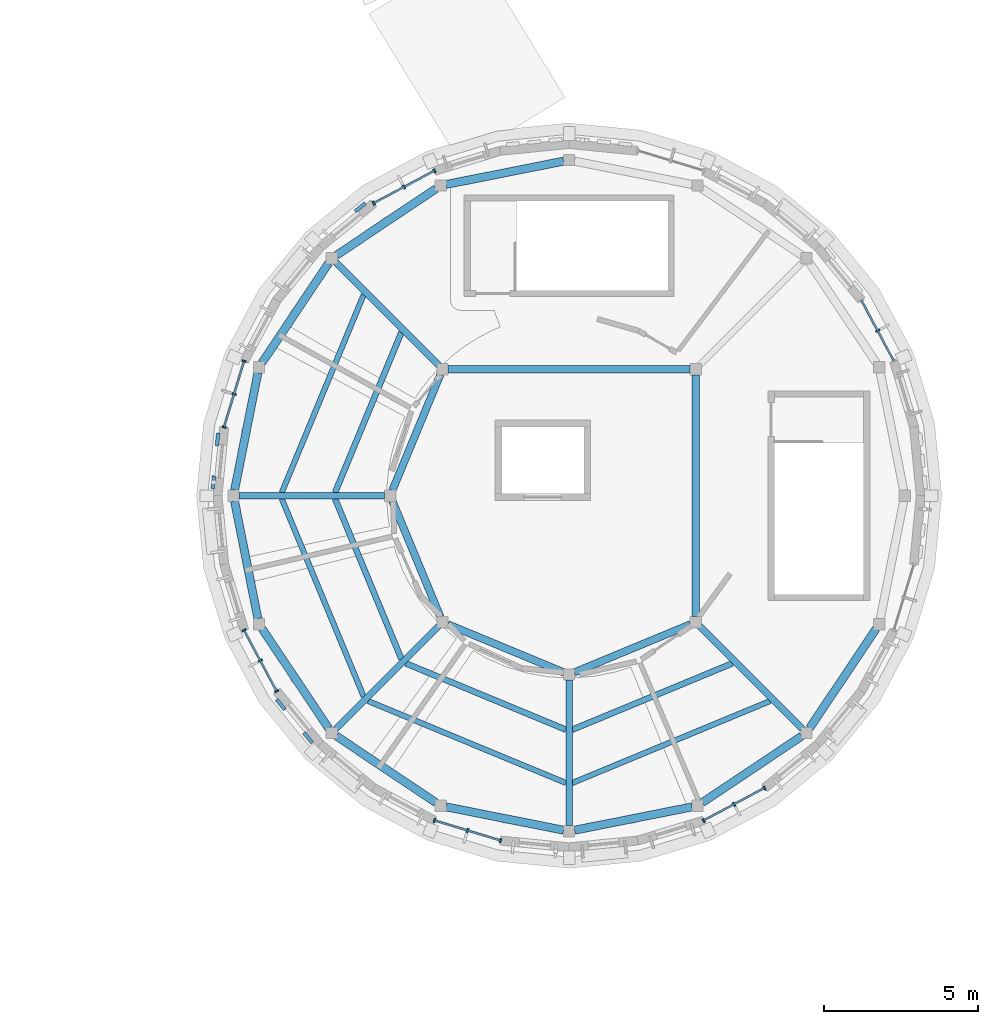
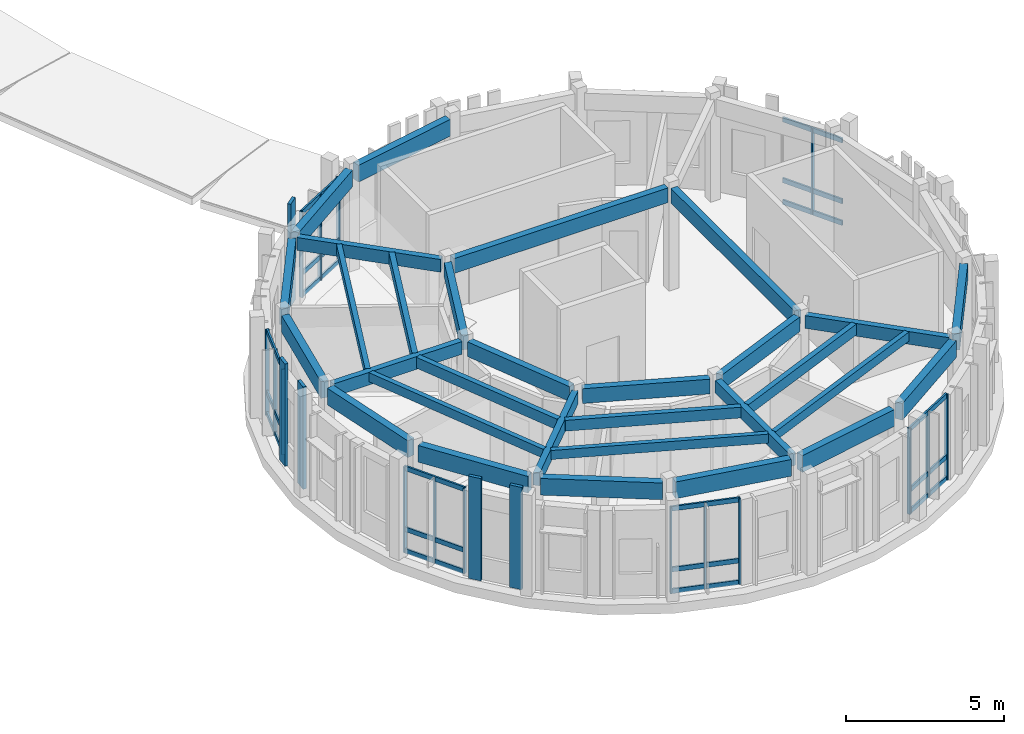
# One storey, part 16 of 58: 39 members, 30 beams, 6 elements without a shape of their own.
"""IFC4 building model written with IfcOpenShell, lengths in metres."""

from ifc_helpers import new_model, si_unit, direction, frame, origin, origin_2d, place, context, subcontext, project, spatial, rectangle, extrude, material, layer, layer_set, material_profile, profile_set, type_object, element, aggregate, save


model = new_model("IFC4")

# Units and contexts
model_context = context("Model", 3, precision=1e-05, world=origin(), true_north=direction((0.0, 1.0)))
body_context = subcontext(model_context, "Body", "Model", "MODEL_VIEW")
ifc_project = project(units=[si_unit("LENGTHUNIT", "METRE"), si_unit("AREAUNIT", "SQUARE_METRE"), si_unit("VOLUMEUNIT", "CUBIC_METRE"), si_unit("PLANEANGLEUNIT", "RADIAN"), si_unit("MASSUNIT", "GRAM", prefix="KILO")], contexts=[model_context])

# Site, building, storey
site_placement = place(None, origin())
site = spatial("IfcSite", under=ifc_project, at=site_placement, CompositionType="ELEMENT")
building_placement = place(site_placement, origin())
building = spatial("IfcBuilding", under=site, at=building_placement, Name="Aldenvaro Health Centre", CompositionType="ELEMENT")
storey_placement = place(building_placement, frame((0.0, 0.0, 8.75)))
storey = spatial("IfcBuildingStorey", under=building, at=storey_placement, Name="L02", CompositionType="ELEMENT", Elevation=8.75)

# Beams
ifc_material_1 = material(Name="Glulam GL28h", Category="wood")
ifc_material_profile_1 = material_profile(ifc_material_1, rectangle(XDim=0.175048828125, YDim=0.35009765625, at=origin_2d()), Name="GL 175x350", Category="wood")
ifc_profile_set_1 = profile_set([ifc_material_profile_1], Name="Glulam GL28h")
beam_type_1 = type_object("IfcBeamType", Name="BM-GL-350", PredefinedType="JOIST", material=ifc_profile_set_1)
for number, where, z_axis, x_axis, name in (
    (1, (147.843017578125, 25.01611328125, 3.784912109375), (-0.382677753705, -0.923881884669, 0.0), (0.923881884669, -0.382677753705, 0.0), "D6 L02 secondary joist 02.2"),
    (2, (145.18505859375, 18.40087890625, 3.784912109375), (0.382677753705, -0.923881884669, 0.0), (0.923881884669, 0.382677753705, 0.0), "D6 L02 secondary joist 03.2"),
    (3, (147.98388671875, 11.843017578125, 3.784912109375), (0.923881884669, -0.382677753705, 0.0), (0.382677753705, 0.923881884669, 0.0), "D6 L02 secondary joist 04.2"),
    (4, (154.59912109375, 9.18505859375, 3.784912109375), (0.923881884669, 0.382677753705, 0.0), (-0.382677753705, 0.923881884669, 0.0), "D6 L02 secondary joist 05.2"),
):
    element("IfcBeam", number, at=place(storey_placement, frame(where, z_axis=z_axis, x_axis=x_axis)), inside=storey, type_object=beam_type_1, Name=name, PredefinedType="JOIST", context=body_context, shape_type="SweptSolid", body=[
        extrude(rectangle(XDim=0.175048828125, YDim=0.35009765625, at=origin_2d()), origin(), (0.0, 0.0, 1.0), 6.94580078125),
    ])
ifc_material_profile_2 = material_profile(ifc_material_1, rectangle(XDim=0.18994140625, YDim=0.41796875, at=origin_2d()), Name="GL 190x418", Category="wood")
ifc_profile_set_2 = profile_set([ifc_material_profile_2], Name="Glulam GL28h")
beam_type_2 = type_object("IfcBeamType", Name="BM-GL-418", PredefinedType="JOIST", material=ifc_profile_set_2)
for number, where, z_axis, x_axis, name in (
    (5, (149.06494140625, 23.794921875, 3.7509765625), (-0.382783729155, -0.923837981842, 0.0), (0.923837981842, -0.382783729155, 0.0), "D6 L02 secondary joist 02.1"),
    (6, (146.912109375, 18.40087890625, 3.7509765625), (0.382783729155, -0.923837981842, 0.0), (0.923837981842, 0.382783729155, 0.0), "D6 L02 secondary joist 03.1"),
    (7, (149.205078125, 13.06494140625, 3.7509765625), (0.923837981842, -0.382783729155, 0.0), (0.382783729155, 0.923837981842, 0.0), "D6 L02 secondary joist 04.1"),
    (8, (154.59912109375, 10.912109375, 3.7509765625), (0.923837981842, 0.382783729155, 0.0), (-0.382783729155, 0.923837981842, 0.0), "D6 L02 secondary joist 05.1"),
):
    element("IfcBeam", number, at=place(storey_placement, frame(where, z_axis=z_axis, x_axis=x_axis)), inside=storey, type_object=beam_type_2, Name=name, PredefinedType="JOIST", context=body_context, shape_type="SweptSolid", body=[
        extrude(rectangle(XDim=0.18994140625, YDim=0.41796875, at=origin_2d()), origin(), (0.0, 0.0, 1.0), 5.624267578125),
    ])
ifc_material_profile_3 = material_profile(ifc_material_1, rectangle(XDim=0.215087890625, YDim=0.493896484375, at=origin_2d()), Name="GL 215x494", Category="wood")
ifc_profile_set_3 = profile_set([ifc_material_profile_3], Name="Glulam GL28h")
beam_type_3 = type_object("IfcBeamType", Name="BM-GL-494", PredefinedType="BEAM", material=ifc_profile_set_3)
beam_1_placement = place(storey_placement, frame((150.27001953125, 22.72998046875, 3.712890625), z_axis=(-0.707106781187, 0.707106781187, 0.0), x_axis=(-0.707106781187, -0.707106781187, 0.0)))
element("IfcBeam", 9, at=beam_1_placement, inside=storey, type_object=beam_type_3, Name="D6 L02 radial beam 02", PredefinedType="BEAM", context=body_context, shape_type="SweptSolid", body=[
    extrude(rectangle(XDim=0.215087890625, YDim=0.493896484375, at=origin_2d()), origin(), (0.0, 0.0, 1.0), 4.715087890625),
])
beam_2_placement = place(storey_placement, frame((148.51708984375, 18.5, 3.712890625), z_axis=(-1.0, 0.0, 0.0), x_axis=(0.0, -1.0, 0.0)))
element("IfcBeam", 10, at=beam_2_placement, inside=storey, type_object=beam_type_3, Name="D6 L02 radial beam 03", PredefinedType="BEAM", context=body_context, shape_type="SweptSolid", body=[
    extrude(rectangle(XDim=0.215087890625, YDim=0.493896484375, at=origin_2d()), origin(), (0.0, 0.0, 1.0), 4.714111328125),
])
for number, where, z_axis, x_axis, name in (
    (11, (150.27001953125, 14.27001953125, 3.712890625), (-0.707106781187, -0.707106781187, 0.0), (0.707106781187, -0.707106781187, 0.0), "D6 L02 radial beam 04"),
    (12, (154.5, 12.51806640625, 3.712890625), (0.0, -1.0, 0.0), (1.0, 0.0, 0.0), "D6 L02 radial beam 05"),
    (13, (158.72998046875, 14.27001953125, 3.712890625), (0.707106781187, -0.707106781187, 0.0), (0.707106781187, 0.707106781187, 0.0), "D6 L02 radial beam 06"),
):
    element("IfcBeam", number, at=place(storey_placement, frame(where, z_axis=z_axis, x_axis=x_axis)), inside=storey, type_object=beam_type_3, Name=name, PredefinedType="BEAM", context=body_context, shape_type="SweptSolid", body=[
        extrude(rectangle(XDim=0.215087890625, YDim=0.493896484375, at=origin_2d()), origin(), (0.0, 0.0, 1.0), 4.715087890625),
    ])
ifc_material_profile_4 = material_profile(ifc_material_1, rectangle(XDim=0.239990234375, YDim=0.570068359375, at=origin_2d()), Name="GL 240x570", Category="wood")
ifc_profile_set_4 = profile_set([ifc_material_profile_4], Name="Glulam GL28h")
beam_type_4 = type_object("IfcBeamType", Name="BM-GL-570", PredefinedType="BEAM", material=ifc_profile_set_4)
beam_3_placement = place(storey_placement, frame((158.41796875, 22.60107421875, 3.675048828125), z_axis=(-1.0, 0.0, 0.0), x_axis=(0.0, -1.0, 0.0)))
element("IfcBeam", 14, at=beam_3_placement, inside=storey, type_object=beam_type_4, Name="D6 L02 inner ring beam 01", PredefinedType="BEAM", context=body_context, shape_type="SweptSolid", body=[
    extrude(rectangle(XDim=0.239990234375, YDim=0.570068359375, at=origin_2d()), origin(), (0.0, 0.0, 1.0), 7.8359375),
])
for number, where, z_axis, x_axis, name in (
    (15, (150.3291015625, 22.431884765625, 3.675048828125), (-0.382771753617, -0.923842943705, 0.0), (0.923842943705, -0.382771753617, 0.0), "D6 L02 inner ring beam 02"),
    (16, (148.77001953125, 18.3310546875, 3.675048828125), (0.382771753617, -0.923842943705, 0.0), (0.923842943705, 0.382771753617, 0.0), "D6 L02 inner ring beam 03"),
    (17, (150.568115234375, 14.3291015625, 3.675048828125), (0.923842943705, -0.382771753617, 0.0), (0.382771753617, 0.923842943705, 0.0), "D6 L02 inner ring beam 04"),
    (18, (154.6689453125, 12.77001953125, 3.675048828125), (0.923842943705, 0.382771753617, 0.0), (-0.382771753617, 0.923842943705, 0.0), "D6 L02 inner ring beam 05"),
):
    element("IfcBeam", number, at=place(storey_placement, frame(where, z_axis=z_axis, x_axis=x_axis)), inside=storey, type_object=beam_type_4, Name=name, PredefinedType="BEAM", context=body_context, shape_type="SweptSolid", body=[
        extrude(rectangle(XDim=0.239990234375, YDim=0.570068359375, at=origin_2d()), origin(), (0.0, 0.0, 1.0), 4.0732421875),
    ])
beam_4_placement = place(storey_placement, frame((158.60107421875, 14.5810546875, 3.675048828125), z_axis=(0.0, 1.0, 0.0), x_axis=(-1.0, 0.0, 0.0)))
element("IfcBeam", 19, at=beam_4_placement, inside=storey, type_object=beam_type_4, Name="D6 L02 inner ring beam 06", PredefinedType="BEAM", context=body_context, shape_type="SweptSolid", body=[
    extrude(rectangle(XDim=0.239990234375, YDim=0.570068359375, at=origin_2d()), origin(), (0.0, 0.0, 1.0), 7.8369140625),
])
ifc_material_profile_5 = material_profile(ifc_material_1, rectangle(XDim=0.264892578125, YDim=0.64599609375, at=origin_2d()), Name="GL 265x646", Category="wood")
ifc_profile_set_5 = profile_set([ifc_material_profile_5], Name="Glulam GL28h")
beam_type_5 = type_object("IfcBeamType", Name="BM-GL-646", PredefinedType="SPANDREL", material=ifc_profile_set_5)
beam_5_placement = place(storey_placement, frame((154.321044921875, 29.343994140625, 3.636962890625), z_axis=(-0.98083392975, -0.19484558566, 0.0), x_axis=(0.19484558566, -0.98083392975, 0.0)))
element("IfcBeam", 20, at=beam_5_placement, inside=storey, type_object=beam_type_5, Name="D6 L02 perimeter spandrel 05", PredefinedType="SPANDREL", context=body_context, shape_type="SweptSolid", body=[
    extrude(rectangle(XDim=0.264892578125, YDim=0.64599609375, at=origin_2d()), origin(), (0.0, 0.0, 1.0), 3.880615234375),
])
for number, where, z_axis, x_axis, name in (
    (21, (150.18408203125, 28.450927734375, 3.636962890625), (-0.831226526072, -0.55593386509, 0.0), (0.55593386509, -0.831226526072, 0.0), "D6 L02 perimeter spandrel 06"),
    (22, (146.7060546875, 26.041015625, 3.636962890625), (-0.55593386509, -0.831226526072, 0.0), (0.831226526072, -0.55593386509, 0.0), "D6 L02 perimeter spandrel 07"),
):
    element("IfcBeam", number, at=place(storey_placement, frame(where, z_axis=z_axis, x_axis=x_axis)), inside=storey, type_object=beam_type_5, Name=name, PredefinedType="SPANDREL", context=body_context, shape_type="SweptSolid", body=[
        extrude(rectangle(XDim=0.264892578125, YDim=0.64599609375, at=origin_2d()), origin(), (0.0, 0.0, 1.0), 3.8798828125),
    ])
for number, where, z_axis, x_axis, name in (
    (23, (144.412109375, 22.485107421875, 3.636962890625), (-0.19484558566, -0.98083392975, 0.0), (0.98083392975, -0.19484558566, 0.0), "D6 L02 perimeter spandrel 08"),
    (24, (143.656005859375, 18.321044921875, 3.636962890625), (0.19484558566, -0.98083392975, 0.0), (0.98083392975, 0.19484558566, 0.0), "D6 L02 perimeter spandrel 09"),
):
    element("IfcBeam", number, at=place(storey_placement, frame(where, z_axis=z_axis, x_axis=x_axis)), inside=storey, type_object=beam_type_5, Name=name, PredefinedType="SPANDREL", context=body_context, shape_type="SweptSolid", body=[
        extrude(rectangle(XDim=0.264892578125, YDim=0.64599609375, at=origin_2d()), origin(), (0.0, 0.0, 1.0), 3.880615234375),
    ])
for number, where, z_axis, x_axis, name in (
    (25, (144.549072265625, 14.18408203125, 3.636962890625), (0.55593386509, -0.831226526072, 0.0), (0.831226526072, 0.55593386509, 0.0), "D6 L02 perimeter spandrel 10"),
    (26, (146.958984375, 10.7060546875, 3.636962890625), (0.831226526072, -0.55593386509, 0.0), (0.55593386509, 0.831226526072, 0.0), "D6 L02 perimeter spandrel 11"),
):
    element("IfcBeam", number, at=place(storey_placement, frame(where, z_axis=z_axis, x_axis=x_axis)), inside=storey, type_object=beam_type_5, Name=name, PredefinedType="SPANDREL", context=body_context, shape_type="SweptSolid", body=[
        extrude(rectangle(XDim=0.264892578125, YDim=0.64599609375, at=origin_2d()), origin(), (0.0, 0.0, 1.0), 3.8798828125),
    ])
for number, where, z_axis, x_axis, name in (
    (27, (150.514892578125, 8.412109375, 3.636962890625), (0.98083392975, -0.19484558566, 0.0), (0.19484558566, 0.98083392975, 0.0), "D6 L02 perimeter spandrel 12"),
    (28, (154.678955078125, 7.656005859375, 3.636962890625), (0.98083392975, 0.19484558566, 0.0), (-0.19484558566, 0.98083392975, 0.0), "D6 L02 perimeter spandrel 13"),
):
    element("IfcBeam", number, at=place(storey_placement, frame(where, z_axis=z_axis, x_axis=x_axis)), inside=storey, type_object=beam_type_5, Name=name, PredefinedType="SPANDREL", context=body_context, shape_type="SweptSolid", body=[
        extrude(rectangle(XDim=0.264892578125, YDim=0.64599609375, at=origin_2d()), origin(), (0.0, 0.0, 1.0), 3.880615234375),
    ])
for number, where, z_axis, x_axis, name in (
    (29, (158.81591796875, 8.549072265625, 3.636962890625), (0.831226526072, 0.55593386509, 0.0), (-0.55593386509, 0.831226526072, 0.0), "D6 L02 perimeter spandrel 14"),
    (30, (162.2939453125, 10.958984375, 3.636962890625), (0.55593386509, 0.831226526072, 0.0), (-0.831226526072, 0.55593386509, 0.0), "D6 L02 perimeter spandrel 15"),
):
    element("IfcBeam", number, at=place(storey_placement, frame(where, z_axis=z_axis, x_axis=x_axis)), inside=storey, type_object=beam_type_5, Name=name, PredefinedType="SPANDREL", context=body_context, shape_type="SweptSolid", body=[
        extrude(rectangle(XDim=0.264892578125, YDim=0.64599609375, at=origin_2d()), origin(), (0.0, 0.0, 1.0), 3.8798828125),
    ])

# Curtain wall, members
ifc_material_2 = material(Name="Anodised Aluminium 6063-T6", Category="aluminium")
ifc_layer = layer(ifc_material_2, 0.195068359375, Name="Anodised Aluminium 6063-T6", Category="aluminium")
ifc_layer_set = layer_set([ifc_layer], Name="Anodised Aluminium 6063-T6")
curtain_wall_type = type_object("IfcCurtainWallType", Name="CW-CLN-02", PredefinedType="NOTDEFINED", material=ifc_layer_set)
curtain_wall_1_placement = place(storey_placement, origin())
curtain_wall_1 = element("IfcCurtainWall", 31, at=curtain_wall_1_placement, inside=storey, type_object=curtain_wall_type, Name="D6 L02 curtain wall bay 06", PredefinedType="NOTDEFINED")
ifc_material_profile_6 = material_profile(ifc_material_2, rectangle(XDim=0.06005859375, YDim=0.135009765625, at=origin_2d()), Name="ALU 60x135", Category="aluminium")
ifc_profile_set_6 = profile_set([ifc_material_profile_6], Name="Anodised Aluminium 6063-T6")
member_type_1 = type_object("IfcMemberType", Name="CWM-150", PredefinedType="MULLION", material=ifc_profile_set_6)
member_1_placement = place(storey_placement, frame((160.833984375, 9.02099609375, 0.0), z_axis=(0.0, 0.0, 1.0), x_axis=(-0.882018256263, -0.471215232797, 0.0)))
member_1 = element("IfcMember", 32, at=member_1_placement, type_object=member_type_1, Name="D6 L02 curtain wall bay 06 mullion 1", PredefinedType="MULLION", context=body_context, shape_type="SweptSolid", body=[
    extrude(rectangle(XDim=0.06005859375, YDim=0.135009765625, at=origin_2d()), origin(), (0.0, 0.0, 1.0), 3.31396484375),
])
member_2_placement = place(storey_placement, frame((159.84912109375, 8.4951171875, 0.0), z_axis=(0.0, 0.0, 1.0), x_axis=(-0.882018256263, -0.471215232797, 0.0)))
member_2 = element("IfcMember", 33, at=member_2_placement, type_object=member_type_1, Name="D6 L02 curtain wall bay 06 mullion 2", PredefinedType="MULLION", context=body_context, shape_type="SweptSolid", body=[
    extrude(rectangle(XDim=0.06005859375, YDim=0.135009765625, at=origin_2d()), origin(), (0.0, 0.0, 1.0), 3.31396484375),
])
member_3_placement = place(storey_placement, frame((158.863037109375, 7.968017578125, 0.0), z_axis=(0.0, 0.0, 1.0), x_axis=(-0.882018256263, -0.471215232797, 0.0)))
member_3 = element("IfcMember", 34, at=member_3_placement, type_object=member_type_1, Name="D6 L02 curtain wall bay 06 mullion 3", PredefinedType="MULLION", context=body_context, shape_type="SweptSolid", body=[
    extrude(rectangle(XDim=0.06005859375, YDim=0.135009765625, at=origin_2d()), origin(), (0.0, 0.0, 1.0), 3.31396484375),
])

curtain_wall_2_placement = place(storey_placement, origin())
curtain_wall_2 = element("IfcCurtainWall", 35, at=curtain_wall_2_placement, inside=storey, type_object=curtain_wall_type, Name="D6 L02 curtain wall bay 10", PredefinedType="NOTDEFINED")
member_4_placement = place(storey_placement, frame((152.27587890625, 7.319091796875, 0.0), z_axis=(0.0, 0.0, 1.0), x_axis=(-0.956922756407, 0.290342622208, 0.0)))
member_4 = element("IfcMember", 36, at=member_4_placement, type_object=member_type_1, Name="D6 L02 curtain wall bay 10 mullion 1", PredefinedType="MULLION", context=body_context, shape_type="SweptSolid", body=[
    extrude(rectangle(XDim=0.06005859375, YDim=0.135009765625, at=origin_2d()), origin(), (0.0, 0.0, 1.0), 3.31396484375),
])
member_5_placement = place(storey_placement, frame((151.20703125, 7.64306640625, 0.0), z_axis=(0.0, 0.0, 1.0), x_axis=(-0.956922756407, 0.290342622208, 0.0)))
member_5 = element("IfcMember", 37, at=member_5_placement, type_object=member_type_1, Name="D6 L02 curtain wall bay 10 mullion 2", PredefinedType="MULLION", context=body_context, shape_type="SweptSolid", body=[
    extrude(rectangle(XDim=0.06005859375, YDim=0.135009765625, at=origin_2d()), origin(), (0.0, 0.0, 1.0), 3.31396484375),
])
member_6_placement = place(storey_placement, frame((150.136962890625, 7.968017578125, 0.0), z_axis=(0.0, 0.0, 1.0), x_axis=(-0.956922756407, 0.290342622208, 0.0)))
member_6 = element("IfcMember", 38, at=member_6_placement, type_object=member_type_1, Name="D6 L02 curtain wall bay 10 mullion 3", PredefinedType="MULLION", context=body_context, shape_type="SweptSolid", body=[
    extrude(rectangle(XDim=0.06005859375, YDim=0.135009765625, at=origin_2d()), origin(), (0.0, 0.0, 1.0), 3.31396484375),
])

curtain_wall_3_placement = place(storey_placement, origin())
curtain_wall_3 = element("IfcCurtainWall", 39, at=curtain_wall_3_placement, inside=storey, type_object=curtain_wall_type, Name="D6 L02 curtain wall bay 14", PredefinedType="NOTDEFINED")
member_7_placement = place(storey_placement, frame((145.02099609375, 12.166015625, 0.0), z_axis=(0.0, 0.0, 1.0), x_axis=(-0.471215232797, 0.882018256263, 0.0)))
member_7 = element("IfcMember", 40, at=member_7_placement, type_object=member_type_1, Name="D6 L02 curtain wall bay 14 mullion 1", PredefinedType="MULLION", context=body_context, shape_type="SweptSolid", body=[
    extrude(rectangle(XDim=0.06005859375, YDim=0.135009765625, at=origin_2d()), origin(), (0.0, 0.0, 1.0), 3.31396484375),
])
member_8_placement = place(storey_placement, frame((144.493896484375, 13.152099609375, 0.0), z_axis=(0.0, 0.0, 1.0), x_axis=(-0.471215232797, 0.882018256263, 0.0)))
member_8 = element("IfcMember", 41, at=member_8_placement, type_object=member_type_1, Name="D6 L02 curtain wall bay 14 mullion 2", PredefinedType="MULLION", context=body_context, shape_type="SweptSolid", body=[
    extrude(rectangle(XDim=0.06005859375, YDim=0.135009765625, at=origin_2d()), origin(), (0.0, 0.0, 1.0), 3.31396484375),
])
member_9_placement = place(storey_placement, frame((143.968017578125, 14.136962890625, 0.0), z_axis=(0.0, 0.0, 1.0), x_axis=(-0.471215232797, 0.882018256263, 0.0)))
member_9 = element("IfcMember", 42, at=member_9_placement, type_object=member_type_1, Name="D6 L02 curtain wall bay 14 mullion 3", PredefinedType="MULLION", context=body_context, shape_type="SweptSolid", body=[
    extrude(rectangle(XDim=0.06005859375, YDim=0.135009765625, at=origin_2d()), origin(), (0.0, 0.0, 1.0), 3.31396484375),
])

curtain_wall_4_placement = place(storey_placement, origin())
curtain_wall_4 = element("IfcCurtainWall", 43, at=curtain_wall_4_placement, inside=storey, type_object=curtain_wall_type, Name="D6 L02 curtain wall bay 18", PredefinedType="NOTDEFINED")
member_10_placement = place(storey_placement, frame((143.319091796875, 20.72412109375, 0.0), z_axis=(0.0, 0.0, 1.0), x_axis=(0.290342622208, 0.956922756407, 0.0)))
member_10 = element("IfcMember", 44, at=member_10_placement, type_object=member_type_1, Name="D6 L02 curtain wall bay 18 mullion 1", PredefinedType="MULLION", context=body_context, shape_type="SweptSolid", body=[
    extrude(rectangle(XDim=0.06005859375, YDim=0.135009765625, at=origin_2d()), origin(), (0.0, 0.0, 1.0), 3.31396484375),
])
member_11_placement = place(storey_placement, frame((143.64306640625, 21.7939453125, 0.0), z_axis=(0.0, 0.0, 1.0), x_axis=(0.290342622208, 0.956922756407, 0.0)))
member_11 = element("IfcMember", 45, at=member_11_placement, type_object=member_type_1, Name="D6 L02 curtain wall bay 18 mullion 2", PredefinedType="MULLION", context=body_context, shape_type="SweptSolid", body=[
    extrude(rectangle(XDim=0.06005859375, YDim=0.135009765625, at=origin_2d()), origin(), (0.0, 0.0, 1.0), 3.31396484375),
])
member_12_placement = place(storey_placement, frame((143.968017578125, 22.863037109375, 0.0), z_axis=(0.0, 0.0, 1.0), x_axis=(0.290342622208, 0.956922756407, 0.0)))
member_12 = element("IfcMember", 46, at=member_12_placement, type_object=member_type_1, Name="D6 L02 curtain wall bay 18 mullion 3", PredefinedType="MULLION", context=body_context, shape_type="SweptSolid", body=[
    extrude(rectangle(XDim=0.06005859375, YDim=0.135009765625, at=origin_2d()), origin(), (0.0, 0.0, 1.0), 3.31396484375),
])

curtain_wall_5_placement = place(storey_placement, origin())
curtain_wall_5 = element("IfcCurtainWall", 47, at=curtain_wall_5_placement, inside=storey, type_object=curtain_wall_type, Name="D6 L02 curtain wall bay 22", PredefinedType="NOTDEFINED")
member_13_placement = place(storey_placement, frame((148.166015625, 27.97900390625, 0.0), z_axis=(0.0, 0.0, 1.0), x_axis=(0.882018256263, 0.471215232797, 0.0)))
member_13 = element("IfcMember", 48, at=member_13_placement, type_object=member_type_1, Name="D6 L02 curtain wall bay 22 mullion 1", PredefinedType="MULLION", context=body_context, shape_type="SweptSolid", body=[
    extrude(rectangle(XDim=0.06005859375, YDim=0.135009765625, at=origin_2d()), origin(), (0.0, 0.0, 1.0), 3.31396484375),
])
member_14_placement = place(storey_placement, frame((149.15087890625, 28.5048828125, 0.0), z_axis=(0.0, 0.0, 1.0), x_axis=(0.882018256263, 0.471215232797, 0.0)))
member_14 = element("IfcMember", 49, at=member_14_placement, type_object=member_type_1, Name="D6 L02 curtain wall bay 22 mullion 2", PredefinedType="MULLION", context=body_context, shape_type="SweptSolid", body=[
    extrude(rectangle(XDim=0.06005859375, YDim=0.135009765625, at=origin_2d()), origin(), (0.0, 0.0, 1.0), 3.31396484375),
])
member_15_placement = place(storey_placement, frame((150.136962890625, 29.031982421875, 0.0), z_axis=(0.0, 0.0, 1.0), x_axis=(0.882018256263, 0.471215232797, 0.0)))
member_15 = element("IfcMember", 50, at=member_15_placement, type_object=member_type_1, Name="D6 L02 curtain wall bay 22 mullion 3", PredefinedType="MULLION", context=body_context, shape_type="SweptSolid", body=[
    extrude(rectangle(XDim=0.06005859375, YDim=0.135009765625, at=origin_2d()), origin(), (0.0, 0.0, 1.0), 3.31396484375),
])

# Curtain wall, member
curtain_wall_6_placement = place(storey_placement, origin())
curtain_wall_6 = element("IfcCurtainWall", 51, at=curtain_wall_6_placement, inside=storey, type_object=curtain_wall_type, Name="D6 L02 curtain wall bay 30", PredefinedType="NOTDEFINED")
member_16_placement = place(storey_placement, frame((164.506103515625, 23.84912109375, 0.0), z_axis=(0.0, 0.0, 1.0), x_axis=(0.471215232797, -0.882018256263, 0.0)))
member_16 = element("IfcMember", 52, at=member_16_placement, type_object=member_type_1, Name="D6 L02 curtain wall bay 30 mullion 2", PredefinedType="MULLION", context=body_context, shape_type="SweptSolid", body=[
    extrude(rectangle(XDim=0.06005859375, YDim=0.135009765625, at=origin_2d()), origin(), (0.0, 0.0, 1.0), 3.31396484375),
])

# Member
ifc_material_profile_7 = material_profile(ifc_material_2, rectangle(XDim=0.06494140625, YDim=0.179931640625, at=origin_2d()), Name="ALU 65x180", Category="aluminium")
ifc_profile_set_7 = profile_set([ifc_material_profile_7], Name="Anodised Aluminium 6063-T6")
member_type_2 = type_object("IfcMemberType", Name="CWT-150", PredefinedType="USERDEFINED", material=ifc_profile_set_7)
member_17_placement = place(storey_placement, frame((160.833984375, 9.02099609375, 0.06005859375), z_axis=(-0.882017012185, -0.471217561446, 0.0), x_axis=(0.471217561446, -0.882017012185, 0.0)))
member_17 = element("IfcMember", 53, at=member_17_placement, type_object=member_type_2, Name="D6 L02 curtain wall bay 06 transom 1", ObjectType="TRANSOM", PredefinedType="USERDEFINED", context=body_context, shape_type="SweptSolid", body=[
    extrude(rectangle(XDim=0.06494140625, YDim=0.179931640625, at=origin_2d()), origin(), (0.0, 0.0, 1.0), 2.234619140625),
])

member_18_placement = place(storey_placement, frame((160.833984375, 9.02099609375, 0.89990234375), z_axis=(-0.882017012185, -0.471217561446, 0.0), x_axis=(0.471217561446, -0.882017012185, 0.0)))
member_18 = element("IfcMember", 54, at=member_18_placement, type_object=member_type_2, Name="D6 L02 curtain wall bay 06 transom 2", ObjectType="TRANSOM", PredefinedType="USERDEFINED", context=body_context, shape_type="SweptSolid", body=[
    extrude(rectangle(XDim=0.06494140625, YDim=0.179931640625, at=origin_2d()), origin(), (0.0, 0.0, 1.0), 2.234619140625),
])

member_19_placement = place(storey_placement, frame((160.833984375, 9.02099609375, 3.25390625), z_axis=(-0.882017012185, -0.471217561446, 0.0), x_axis=(0.471217561446, -0.882017012185, 0.0)))
member_19 = element("IfcMember", 55, at=member_19_placement, type_object=member_type_2, Name="D6 L02 curtain wall bay 06 transom 3", ObjectType="TRANSOM", PredefinedType="USERDEFINED", context=body_context, shape_type="SweptSolid", body=[
    extrude(rectangle(XDim=0.06494140625, YDim=0.179931640625, at=origin_2d()), origin(), (0.0, 0.0, 1.0), 2.234619140625),
])

aggregate(curtain_wall_1, [member_1, member_2, member_3, member_17, member_18, member_19])

member_20_placement = place(storey_placement, frame((152.27587890625, 7.319091796875, 0.06005859375), z_axis=(-0.956928814218, 0.290322655883, 0.0), x_axis=(-0.290322655883, -0.956928814218, 0.0)))
member_20 = element("IfcMember", 56, at=member_20_placement, type_object=member_type_2, Name="D6 L02 curtain wall bay 10 transom 1", ObjectType="TRANSOM", PredefinedType="USERDEFINED", context=body_context, shape_type="SweptSolid", body=[
    extrude(rectangle(XDim=0.06494140625, YDim=0.179931640625, at=origin_2d()), origin(), (0.0, 0.0, 1.0), 2.235107421875),
])

member_21_placement = place(storey_placement, frame((152.27587890625, 7.319091796875, 0.89990234375), z_axis=(-0.956928814218, 0.290322655883, 0.0), x_axis=(-0.290322655883, -0.956928814218, 0.0)))
member_21 = element("IfcMember", 57, at=member_21_placement, type_object=member_type_2, Name="D6 L02 curtain wall bay 10 transom 2", ObjectType="TRANSOM", PredefinedType="USERDEFINED", context=body_context, shape_type="SweptSolid", body=[
    extrude(rectangle(XDim=0.06494140625, YDim=0.179931640625, at=origin_2d()), origin(), (0.0, 0.0, 1.0), 2.235107421875),
])

member_22_placement = place(storey_placement, frame((152.27587890625, 7.319091796875, 3.25390625), z_axis=(-0.956928814218, 0.290322655883, 0.0), x_axis=(-0.290322655883, -0.956928814218, 0.0)))
member_22 = element("IfcMember", 58, at=member_22_placement, type_object=member_type_2, Name="D6 L02 curtain wall bay 10 transom 3", ObjectType="TRANSOM", PredefinedType="USERDEFINED", context=body_context, shape_type="SweptSolid", body=[
    extrude(rectangle(XDim=0.06494140625, YDim=0.179931640625, at=origin_2d()), origin(), (0.0, 0.0, 1.0), 2.235107421875),
])

aggregate(curtain_wall_2, [member_4, member_5, member_6, member_20, member_21, member_22])

member_23_placement = place(storey_placement, frame((145.02099609375, 12.166015625, 0.06005859375), z_axis=(-0.471217561446, 0.882017012185, 0.0), x_axis=(-0.882017012185, -0.471217561446, 0.0)))
member_23 = element("IfcMember", 59, at=member_23_placement, type_object=member_type_2, Name="D6 L02 curtain wall bay 14 transom 1", ObjectType="TRANSOM", PredefinedType="USERDEFINED", context=body_context, shape_type="SweptSolid", body=[
    extrude(rectangle(XDim=0.06494140625, YDim=0.179931640625, at=origin_2d()), origin(), (0.0, 0.0, 1.0), 2.234619140625),
])

member_24_placement = place(storey_placement, frame((145.02099609375, 12.166015625, 0.89990234375), z_axis=(-0.471217561446, 0.882017012185, 0.0), x_axis=(-0.882017012185, -0.471217561446, 0.0)))
member_24 = element("IfcMember", 60, at=member_24_placement, type_object=member_type_2, Name="D6 L02 curtain wall bay 14 transom 2", ObjectType="TRANSOM", PredefinedType="USERDEFINED", context=body_context, shape_type="SweptSolid", body=[
    extrude(rectangle(XDim=0.06494140625, YDim=0.179931640625, at=origin_2d()), origin(), (0.0, 0.0, 1.0), 2.234619140625),
])

member_25_placement = place(storey_placement, frame((145.02099609375, 12.166015625, 3.25390625), z_axis=(-0.471217561446, 0.882017012185, 0.0), x_axis=(-0.882017012185, -0.471217561446, 0.0)))
member_25 = element("IfcMember", 61, at=member_25_placement, type_object=member_type_2, Name="D6 L02 curtain wall bay 14 transom 3", ObjectType="TRANSOM", PredefinedType="USERDEFINED", context=body_context, shape_type="SweptSolid", body=[
    extrude(rectangle(XDim=0.06494140625, YDim=0.179931640625, at=origin_2d()), origin(), (0.0, 0.0, 1.0), 2.234619140625),
])

aggregate(curtain_wall_3, [member_7, member_8, member_9, member_23, member_24, member_25])

member_26_placement = place(storey_placement, frame((143.319091796875, 20.72412109375, 0.06005859375), z_axis=(0.290322655883, 0.956928814218, 0.0), x_axis=(-0.956928814218, 0.290322655883, 0.0)))
member_26 = element("IfcMember", 62, at=member_26_placement, type_object=member_type_2, Name="D6 L02 curtain wall bay 18 transom 1", ObjectType="TRANSOM", PredefinedType="USERDEFINED", context=body_context, shape_type="SweptSolid", body=[
    extrude(rectangle(XDim=0.06494140625, YDim=0.179931640625, at=origin_2d()), origin(), (0.0, 0.0, 1.0), 2.235107421875),
])

member_27_placement = place(storey_placement, frame((143.319091796875, 20.72412109375, 0.89990234375), z_axis=(0.290322655883, 0.956928814218, 0.0), x_axis=(-0.956928814218, 0.290322655883, 0.0)))
member_27 = element("IfcMember", 63, at=member_27_placement, type_object=member_type_2, Name="D6 L02 curtain wall bay 18 transom 2", ObjectType="TRANSOM", PredefinedType="USERDEFINED", context=body_context, shape_type="SweptSolid", body=[
    extrude(rectangle(XDim=0.06494140625, YDim=0.179931640625, at=origin_2d()), origin(), (0.0, 0.0, 1.0), 2.235107421875),
])

member_28_placement = place(storey_placement, frame((143.319091796875, 20.72412109375, 3.25390625), z_axis=(0.290322655883, 0.956928814218, 0.0), x_axis=(-0.956928814218, 0.290322655883, 0.0)))
member_28 = element("IfcMember", 64, at=member_28_placement, type_object=member_type_2, Name="D6 L02 curtain wall bay 18 transom 3", ObjectType="TRANSOM", PredefinedType="USERDEFINED", context=body_context, shape_type="SweptSolid", body=[
    extrude(rectangle(XDim=0.06494140625, YDim=0.179931640625, at=origin_2d()), origin(), (0.0, 0.0, 1.0), 2.235107421875),
])

aggregate(curtain_wall_4, [member_10, member_11, member_12, member_26, member_27, member_28])

member_29_placement = place(storey_placement, frame((148.166015625, 27.97900390625, 0.06005859375), z_axis=(0.882017012185, 0.471217561446, 0.0), x_axis=(-0.471217561446, 0.882017012185, 0.0)))
member_29 = element("IfcMember", 65, at=member_29_placement, type_object=member_type_2, Name="D6 L02 curtain wall bay 22 transom 1", ObjectType="TRANSOM", PredefinedType="USERDEFINED", context=body_context, shape_type="SweptSolid", body=[
    extrude(rectangle(XDim=0.06494140625, YDim=0.179931640625, at=origin_2d()), origin(), (0.0, 0.0, 1.0), 2.234619140625),
])

member_30_placement = place(storey_placement, frame((148.166015625, 27.97900390625, 0.89990234375), z_axis=(0.882017012185, 0.471217561446, 0.0), x_axis=(-0.471217561446, 0.882017012185, 0.0)))
member_30 = element("IfcMember", 66, at=member_30_placement, type_object=member_type_2, Name="D6 L02 curtain wall bay 22 transom 2", ObjectType="TRANSOM", PredefinedType="USERDEFINED", context=body_context, shape_type="SweptSolid", body=[
    extrude(rectangle(XDim=0.06494140625, YDim=0.179931640625, at=origin_2d()), origin(), (0.0, 0.0, 1.0), 2.234619140625),
])

member_31_placement = place(storey_placement, frame((148.166015625, 27.97900390625, 3.25390625), z_axis=(0.882017012185, 0.471217561446, 0.0), x_axis=(-0.471217561446, 0.882017012185, 0.0)))
member_31 = element("IfcMember", 67, at=member_31_placement, type_object=member_type_2, Name="D6 L02 curtain wall bay 22 transom 3", ObjectType="TRANSOM", PredefinedType="USERDEFINED", context=body_context, shape_type="SweptSolid", body=[
    extrude(rectangle(XDim=0.06494140625, YDim=0.179931640625, at=origin_2d()), origin(), (0.0, 0.0, 1.0), 2.234619140625),
])

aggregate(curtain_wall_5, [member_13, member_14, member_15, member_29, member_30, member_31])

member_32_placement = place(storey_placement, frame((163.97900390625, 24.833984375, 0.06005859375), z_axis=(0.471217561446, -0.882017012185, 0.0), x_axis=(0.882017012185, 0.471217561446, 0.0)))
member_32 = element("IfcMember", 68, at=member_32_placement, type_object=member_type_2, Name="D6 L02 curtain wall bay 30 transom 1", ObjectType="TRANSOM", PredefinedType="USERDEFINED", context=body_context, shape_type="SweptSolid", body=[
    extrude(rectangle(XDim=0.06494140625, YDim=0.179931640625, at=origin_2d()), origin(), (0.0, 0.0, 1.0), 2.234619140625),
])

member_33_placement = place(storey_placement, frame((163.97900390625, 24.833984375, 0.89990234375), z_axis=(0.471217561446, -0.882017012185, 0.0), x_axis=(0.882017012185, 0.471217561446, 0.0)))
member_33 = element("IfcMember", 69, at=member_33_placement, type_object=member_type_2, Name="D6 L02 curtain wall bay 30 transom 2", ObjectType="TRANSOM", PredefinedType="USERDEFINED", context=body_context, shape_type="SweptSolid", body=[
    extrude(rectangle(XDim=0.06494140625, YDim=0.179931640625, at=origin_2d()), origin(), (0.0, 0.0, 1.0), 2.234619140625),
])

member_34_placement = place(storey_placement, frame((163.97900390625, 24.833984375, 3.25390625), z_axis=(0.471217561446, -0.882017012185, 0.0), x_axis=(0.882017012185, 0.471217561446, 0.0)))
member_34 = element("IfcMember", 70, at=member_34_placement, type_object=member_type_2, Name="D6 L02 curtain wall bay 30 transom 3", ObjectType="TRANSOM", PredefinedType="USERDEFINED", context=body_context, shape_type="SweptSolid", body=[
    extrude(rectangle(XDim=0.06494140625, YDim=0.179931640625, at=origin_2d()), origin(), (0.0, 0.0, 1.0), 2.234619140625),
])

aggregate(curtain_wall_6, [member_16, member_32, member_33, member_34])

# Members
ifc_material_profile_8 = material_profile(ifc_material_1, rectangle(XDim=0.114990234375, YDim=0.419921875, at=origin_2d()), Name="GL 115x420", Category="wood")
ifc_profile_set_8 = profile_set([ifc_material_profile_8], Name="Glulam GL28h")
member_type_3 = type_object("IfcMemberType", Name="MEM-SLT-420A", PredefinedType="POST", material=ifc_profile_set_8)
for number, where, z_axis, x_axis, name in (
    (71, (146.037109375, 10.653076171875, 0.0), (0.0, 0.0, 1.0), (-0.772859503767, -0.634577172169, 0.0), "D6 L02 vertical timber slat 13.1"),
    (72, (145.152099609375, 11.72998046875, 0.0), (0.0, 0.0, 1.0), (-0.772859503767, -0.634577172169, 0.0), "D6 L02 vertical timber slat 13.3"),
    (73, (142.967041015625, 18.93505859375, 0.0), (0.0, 0.0, 1.0), (-0.995186685493, 0.097997250052, 0.0), "D6 L02 vertical timber slat 17.1"),
    (74, (143.10400390625, 20.322998046875, 0.0), (0.0, 0.0, 1.0), (-0.995186685493, 0.097997250052, 0.0), "D6 L02 vertical timber slat 17.3"),
    (75, (147.72998046875, 27.847900390625, 0.0), (0.0, 0.0, 1.0), (-0.634577172169, 0.772859503767, 0.0), "D6 L02 vertical timber slat 21.3"),
):
    element("IfcMember", number, at=place(storey_placement, frame(where, z_axis=z_axis, x_axis=x_axis)), inside=storey, type_object=member_type_3, Name=name, PredefinedType="POST", context=body_context, shape_type="SweptSolid", body=[
        extrude(rectangle(XDim=0.114990234375, YDim=0.419921875, at=origin_2d()), origin(), (0.0, 0.0, 1.0), 3.9599609375),
    ])

save(model, "model.ifc")
